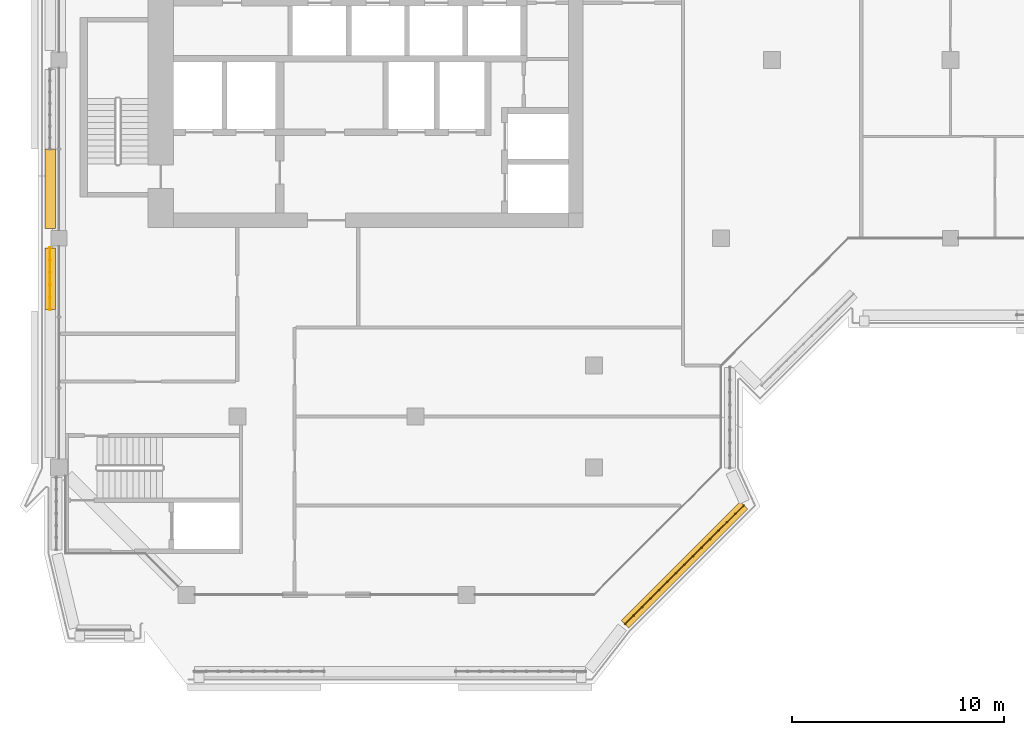
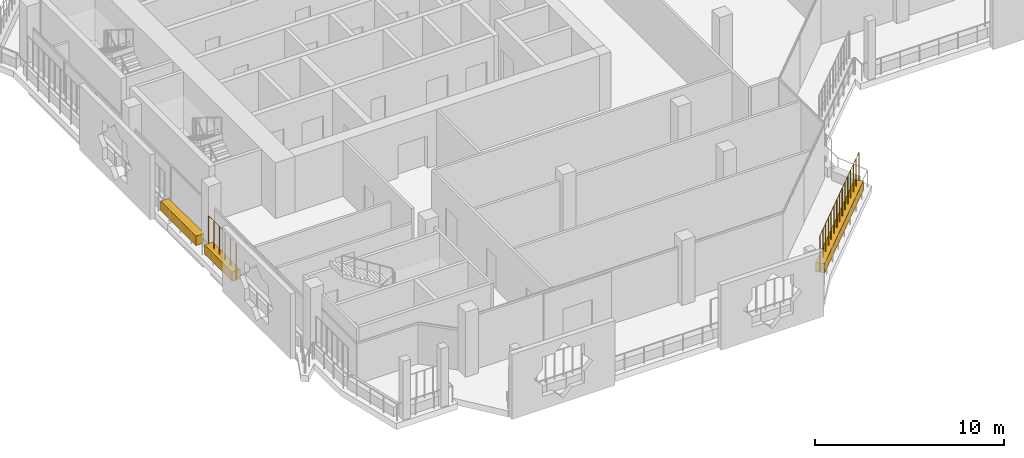
# One storey, part 16 of 21: 3 coverings, 2 railings.
"""IFC4 building model written with IfcOpenShell, lengths in metres."""

from ifc_helpers import new_model, si_unit, direction, frame, origin, origin_2d, place, context, subcontext, project, spatial, rectangle, circle, extrude, material, material_profile, profile_set, type_object, element, save


model = new_model("IFC4")

# Units and contexts
model_context = context("Model", 3, precision=1e-05, world=origin(), true_north=direction((0.0, 1.0)))
body_context = subcontext(model_context, "Body", "Model", "MODEL_VIEW")
ifc_project = project(units=[si_unit("LENGTHUNIT", "METRE"), si_unit("AREAUNIT", "SQUARE_METRE"), si_unit("VOLUMEUNIT", "CUBIC_METRE"), si_unit("PLANEANGLEUNIT", "RADIAN"), si_unit("MASSUNIT", "GRAM", prefix="KILO")], contexts=[model_context])

# Site, building, storey
site_placement = place(None, origin())
site = spatial("IfcSite", under=ifc_project, at=site_placement, CompositionType="ELEMENT")
building_placement = place(site_placement, origin())
building = spatial("IfcBuilding", under=site, at=building_placement, Name="Kawkab Arch Medical Tower", CompositionType="ELEMENT")
storey_placement = place(building_placement, frame((0.0, 0.0, 311.199951171875)))
storey = spatial("IfcBuildingStorey", under=building, at=storey_placement, Name="L72", CompositionType="ELEMENT", Elevation=311.199951171875)

# Coverings
ifc_material_1 = material(Name="Planting soil in a precast trough", Category="concrete")
ifc_material_profile = material_profile(ifc_material_1, rectangle(XDim=0.5, YDim=0.60009765625, at=origin_2d()), Name="Trough 500x600")
ifc_profile_set = profile_set([ifc_material_profile], Name="Planting soil in a precast trough")
covering_type = type_object("IfcCoveringType", Name="Planter trough 500 x 600", PredefinedType="USERDEFINED", material=ifc_profile_set)
covering_1_placement = place(storey_placement, frame((-0.419921875, -28.56298828125, 0.300048828125), z_axis=(0.0, 1.0, 0.0), x_axis=(-1.0, 0.0, 0.0)))
element("IfcCovering", 1, at=covering_1_placement, inside=storey, type_object=covering_type, Name="Planter L72.LOG-01-01.5", ObjectType="PLANTER", PredefinedType="USERDEFINED", context=body_context, shape_type="SweptSolid", body=[
    extrude(rectangle(XDim=0.5, YDim=0.60009765625, at=origin_2d()), origin(), (0.0, 0.0, 1.0), 2.909912109375),
])
covering_2_placement = place(storey_placement, frame((-0.419921875, -24.7470703125, 0.300048828125), z_axis=(0.0, 1.0, 0.0), x_axis=(-1.0, 0.0, 0.0)))
element("IfcCovering", 2, at=covering_2_placement, inside=storey, type_object=covering_type, Name="Planter L72.LOG-01-01.6", ObjectType="PLANTER", PredefinedType="USERDEFINED", context=body_context, shape_type="SweptSolid", body=[
    extrude(rectangle(XDim=0.5, YDim=0.60009765625, at=origin_2d()), origin(), (0.0, 0.0, 1.0), 3.7470703125),
])
covering_3_placement = place(storey_placement, frame((32.27294921875, -37.782958984375, 0.300048828125), z_axis=(-0.707091367247, -0.70712219479, 0.0), x_axis=(0.70712219479, -0.707091367247, 0.0)))
element("IfcCovering", 3, at=covering_3_placement, inside=storey, type_object=covering_type, Name="Planter L72.LOG-01-01.33", ObjectType="PLANTER", PredefinedType="USERDEFINED", context=body_context, shape_type="SweptSolid", body=[
    extrude(rectangle(XDim=0.5, YDim=0.60009765625, at=origin_2d()), origin(), (0.0, 0.0, 1.0), 7.919677734375),
])

# Railings
ifc_material_2 = material(Name="Bronze anodised aluminium trellis for climbing plants", Category="aluminium")
railing_type = type_object("IfcRailingType", Name="Planting trellis 2400", PredefinedType="USERDEFINED", material=ifc_material_2)
railing_1_placement = place(storey_placement, frame((-0.419921875, -28.56298828125, 0.0)))
element("IfcRailing", 4, at=railing_1_placement, inside=storey, type_object=railing_type, Name="Planting trellis L72.LOG-01-01.5", ObjectType="TRELLIS", PredefinedType="USERDEFINED", context=body_context, shape_type="SweptSolid", body=[
    extrude(circle(Radius=0.01513671875, at=origin_2d()), frame((0.0, 0.0, 2.384765625), z_axis=(0.0, 1.0, 0.0), x_axis=(-1.0, 0.0, 0.0)), (0.0, 0.0, 1.0), 2.909912109375),
    extrude(circle(Radius=0.030029296875, at=origin_2d()), origin(), (0.0, 0.0, 1.0), 2.369873046875),
    extrude(circle(Radius=0.030029296875, at=origin_2d()), frame((0.0, 0.58203125, 0.0)), (0.0, 0.0, 1.0), 2.369873046875),
    extrude(circle(Radius=0.030029296875, at=origin_2d()), frame((0.0, 1.1640625, 0.0)), (0.0, 0.0, 1.0), 2.369873046875),
    extrude(circle(Radius=0.030029296875, at=origin_2d()), frame((0.0, 1.745849609375, 0.0)), (0.0, 0.0, 1.0), 2.369873046875),
    extrude(circle(Radius=0.030029296875, at=origin_2d()), frame((0.0, 2.327880859375, 0.0)), (0.0, 0.0, 1.0), 2.369873046875),
    extrude(circle(Radius=0.030029296875, at=origin_2d()), frame((0.0, 2.909912109375, 0.0)), (0.0, 0.0, 1.0), 2.369873046875),
])
railing_2_placement = place(storey_placement, frame((32.27294921875, -37.782958984375, 0.0)))
element("IfcRailing", 5, at=railing_2_placement, inside=storey, type_object=railing_type, Name="Planting trellis L72.LOG-01-01.33", ObjectType="TRELLIS", PredefinedType="USERDEFINED", context=body_context, shape_type="SweptSolid", body=[
    extrude(circle(Radius=0.01513671875, at=origin_2d()), frame((0.0, 0.0, 2.384765625), z_axis=(-0.707091367247, -0.70712219479, 0.0), x_axis=(0.70712219479, -0.707091367247, 0.0)), (0.0, 0.0, 1.0), 7.919677734375),
    extrude(circle(Radius=0.030029296875, at=origin_2d()), origin(), (0.0, 0.0, 1.0), 2.369873046875),
    extrude(circle(Radius=0.030029296875, at=origin_2d()), frame((-0.39990234375, -0.39990234375, 0.0)), (0.0, 0.0, 1.0), 2.369873046875),
    extrude(circle(Radius=0.030029296875, at=origin_2d()), frame((-0.800048828125, -0.800048828125, 0.0)), (0.0, 0.0, 1.0), 2.369873046875),
    extrude(circle(Radius=0.030029296875, at=origin_2d()), frame((-1.199951171875, -1.199951171875, 0.0)), (0.0, 0.0, 1.0), 2.369873046875),
    extrude(circle(Radius=0.030029296875, at=origin_2d()), frame((-1.599853515625, -1.60009765625, 0.0)), (0.0, 0.0, 1.0), 2.369873046875),
    extrude(circle(Radius=0.030029296875, at=origin_2d()), frame((-2.0, -2.0, 0.0)), (0.0, 0.0, 1.0), 2.369873046875),
    extrude(circle(Radius=0.030029296875, at=origin_2d()), frame((-2.39990234375, -2.400146484375, 0.0)), (0.0, 0.0, 1.0), 2.369873046875),
    extrude(circle(Radius=0.030029296875, at=origin_2d()), frame((-2.7998046875, -2.800048828125, 0.0)), (0.0, 0.0, 1.0), 2.369873046875),
    extrude(circle(Radius=0.030029296875, at=origin_2d()), frame((-3.199951171875, -3.199951171875, 0.0)), (0.0, 0.0, 1.0), 2.369873046875),
    extrude(circle(Radius=0.030029296875, at=origin_2d()), frame((-3.599853515625, -3.60009765625, 0.0)), (0.0, 0.0, 1.0), 2.369873046875),
    extrude(circle(Radius=0.030029296875, at=origin_2d()), frame((-4.0, -4.0, 0.0)), (0.0, 0.0, 1.0), 2.369873046875),
    extrude(circle(Radius=0.030029296875, at=origin_2d()), frame((-4.39990234375, -4.400146484375, 0.0)), (0.0, 0.0, 1.0), 2.369873046875),
    extrude(circle(Radius=0.030029296875, at=origin_2d()), frame((-4.7998046875, -4.800048828125, 0.0)), (0.0, 0.0, 1.0), 2.369873046875),
    extrude(circle(Radius=0.030029296875, at=origin_2d()), frame((-5.199951171875, -5.2001953125, 0.0)), (0.0, 0.0, 1.0), 2.369873046875),
    extrude(circle(Radius=0.030029296875, at=origin_2d()), frame((-5.599853515625, -5.60009765625, 0.0)), (0.0, 0.0, 1.0), 2.369873046875),
])

save(model, "model.ifc")
